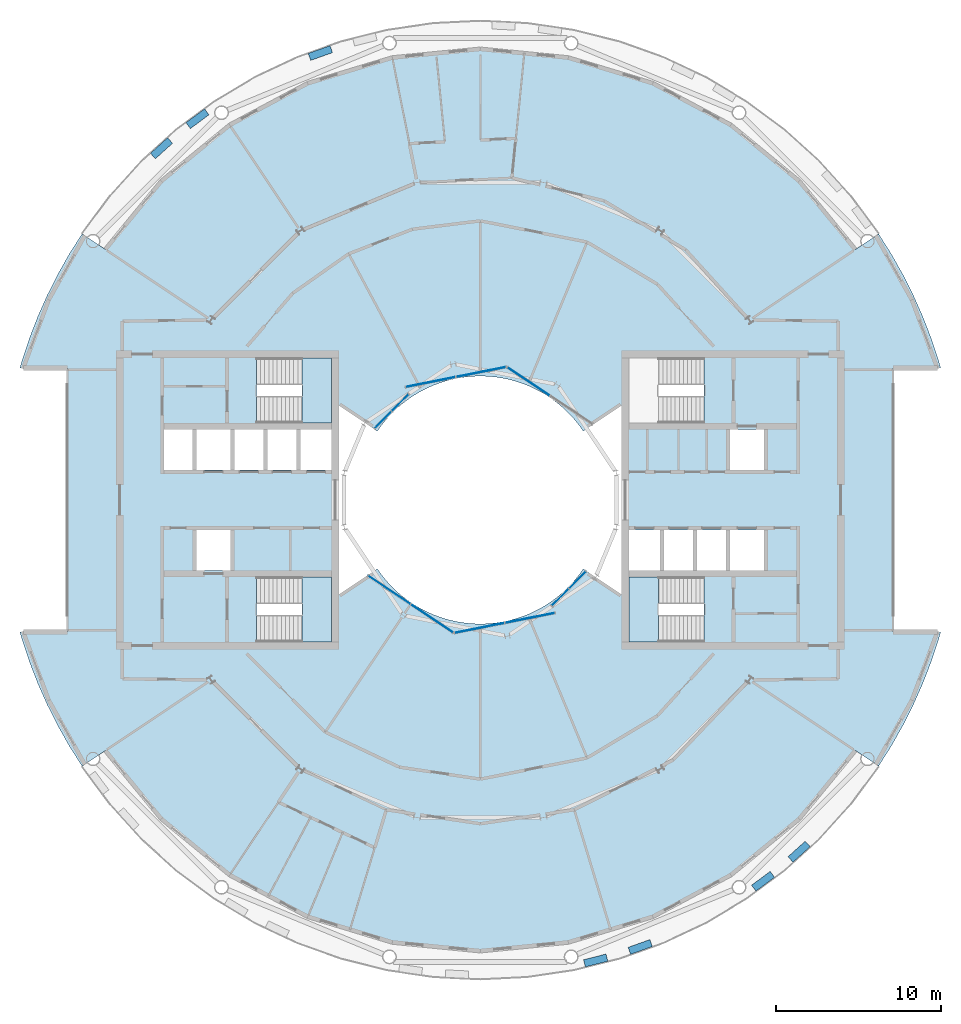
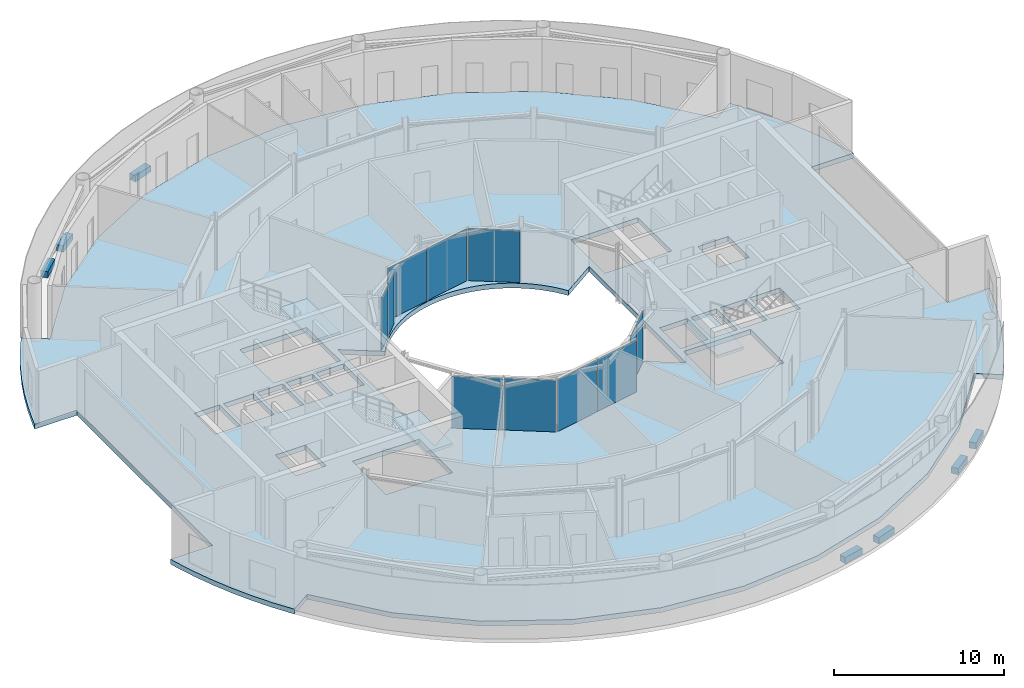
# One storey, part 12 of 22: 11 plates, 11 slabs, 9 elements without a shape of their own.
"""IFC4 building model written with IfcOpenShell, lengths in metres."""

from ifc_helpers import new_model, si_unit, direction, frame, origin, origin_2d, place, context, subcontext, project, spatial, polyline, rectangle, outline, extrude, material, layer, layer_set, type_object, element, aggregate, save


model = new_model("IFC4")

# Units and contexts
model_context = context("Model", 3, precision=1e-05, world=origin(), true_north=direction((0.0, 1.0)))
body_context = subcontext(model_context, "Body", "Model", "MODEL_VIEW")
ifc_project = project(units=[si_unit("LENGTHUNIT", "METRE"), si_unit("AREAUNIT", "SQUARE_METRE"), si_unit("VOLUMEUNIT", "CUBIC_METRE"), si_unit("PLANEANGLEUNIT", "RADIAN"), si_unit("MASSUNIT", "GRAM", prefix="KILO")], contexts=[model_context])

# Site, building, storey
site_placement = place(None, origin())
site = spatial("IfcSite", under=ifc_project, at=site_placement, CompositionType="ELEMENT")
building_placement = place(site_placement, origin())
building = spatial("IfcBuilding", under=site, at=building_placement, Name="Maasbend Ring Residences", CompositionType="ELEMENT")
storey_placement = place(building_placement, frame((0.0, 0.0, 208.5)))
storey = spatial("IfcBuildingStorey", under=building, at=storey_placement, Name="L60", CompositionType="ELEMENT", Elevation=208.5)

# Stair, slab
ifc_material_1 = material(Name="Concrete C40/50", Category="concrete")
stair_type = type_object("IfcStairType", Name="CORE STAIR 24 RISERS", PredefinedType="HALF_TURN_STAIR", material=ifc_material_1)
stair_1_placement = place(storey_placement, origin())
stair_1 = element("IfcStair", 1, at=stair_1_placement, inside=storey, type_object=stair_type, Name="L60 Exit stair ST-E2", PredefinedType="HALF_TURN_STAIR")
ifc_material_2 = material(Name="Concrete C40/50", Category="concrete")
ifc_layer_1 = layer(ifc_material_2, 0.199951171875)
ifc_layer_set_1 = layer_set([ifc_layer_1], Name="Concrete C40/50")
slab_type_1 = type_object("IfcSlabType", Name="CORE STAIR LANDING 200", PredefinedType="LANDING", material=ifc_layer_set_1)
slab_1_placement = place(storey_placement, frame((0.0, 0.0, 1.89990234375)))
slab_1 = element("IfcSlab", 2, at=slab_1_placement, type_object=slab_type_1, Name="ST-E2 landing 1", PredefinedType="LANDING", context=body_context, shape_type="SweptSolid", body=[
    extrude(outline(polyline([(10.800048828125, -4.64990234375), (9.0, -4.64990234375), (9.0, -8.60009765625), (10.800048828125, -8.60009765625), (10.800048828125, -4.64990234375)])), origin(), (0.0, 0.0, 1.0), 0.2001953125),
])
aggregate(stair_1, [slab_1])

stair_2_placement = place(storey_placement, origin())
stair_2 = element("IfcStair", 3, at=stair_2_placement, inside=storey, type_object=stair_type, Name="L60 Exit stair ST-W1", PredefinedType="HALF_TURN_STAIR")
slab_2_placement = place(storey_placement, frame((0.0, 0.0, 1.89990234375)))
slab_2 = element("IfcSlab", 4, at=slab_2_placement, type_object=slab_type_1, Name="ST-W1 landing 1", PredefinedType="LANDING", context=body_context, shape_type="SweptSolid", body=[
    extrude(outline(polyline([(-10.800048828125, -8.60009765625), (-9.0, -8.60009765625), (-9.0, -4.64990234375), (-10.800048828125, -4.64990234375), (-10.800048828125, -8.60009765625)])), origin(), (0.0, 0.0, 1.0), 0.2001953125),
])
aggregate(stair_2, [slab_2])

stair_3_placement = place(storey_placement, origin())
stair_3 = element("IfcStair", 5, at=stair_3_placement, inside=storey, type_object=stair_type, Name="L60 Exit stair ST-W2", PredefinedType="HALF_TURN_STAIR")
slab_3_placement = place(storey_placement, frame((0.0, 0.0, 1.89990234375)))
slab_3 = element("IfcSlab", 6, at=slab_3_placement, type_object=slab_type_1, Name="ST-W2 landing 1", PredefinedType="LANDING", context=body_context, shape_type="SweptSolid", body=[
    extrude(outline(polyline([(-10.800048828125, 4.64990234375), (-9.0, 4.64990234375), (-9.0, 8.60009765625), (-10.800048828125, 8.60009765625), (-10.800048828125, 4.64990234375)])), origin(), (0.0, 0.0, 1.0), 0.2001953125),
])
aggregate(stair_3, [slab_3])

# Curtain wall, plate
ifc_material_3 = material(Name="Aluminium and clear glass", Category="aluminium")
ifc_layer_2 = layer(ifc_material_3, 0.179931640625)
ifc_layer_set_2 = layer_set([ifc_layer_2], Name="CW-W")
curtain_wall_type = type_object("IfcCurtainWallType", Name="CW-W", PredefinedType="NOTDEFINED", material=ifc_layer_set_2)
curtain_wall_1_placement = place(storey_placement, origin())
curtain_wall_1 = element("IfcCurtainWall", 7, at=curtain_wall_1_placement, inside=storey, type_object=curtain_wall_type, Name="Well curtain wall N1", PredefinedType="NOTDEFINED")
ifc_material_4 = material(Name="Glass clear laminated", Category="glass")
ifc_layer_3 = layer(ifc_material_4, 0.031982421875)
ifc_layer_set_3 = layer_set([ifc_layer_3], Name="CWP-W")
plate_type = type_object("IfcPlateType", Name="CWP-W", PredefinedType="CURTAIN_PANEL", material=ifc_layer_set_3)
plate_1_placement = place(storey_placement, frame((2.922119140625, 7.17578125, 0.0), z_axis=(0.0, 0.0, 1.0), x_axis=(-0.831469612303, 0.55557023302, 0.0)))
plate_1 = element("IfcPlate", 8, at=plate_1_placement, type_object=plate_type, Name="Glass panel well face", PredefinedType="CURTAIN_PANEL", context=body_context, shape_type="SweptSolid", body=[
    extrude(rectangle(XDim=3.053955078125, YDim=0.031982421875, at=origin_2d()), origin(), (0.0, 0.0, 1.0), 3.72998046875),
])
aggregate(curtain_wall_1, [plate_1])

# Curtain wall, plates
curtain_wall_2_placement = place(storey_placement, origin())
curtain_wall_2 = element("IfcCurtainWall", 9, at=curtain_wall_2_placement, inside=storey, type_object=curtain_wall_type, Name="Well curtain wall N2", PredefinedType="NOTDEFINED")
plate_2_placement = place(storey_placement, frame((0.04638671875, 7.747802734375, 0.0), z_axis=(0.0, 0.0, 1.0), x_axis=(-0.980785280403, -0.195090322016, 0.0)))
plate_2 = element("IfcPlate", 10, at=plate_2_placement, type_object=plate_type, Name="Glass panel well face", PredefinedType="CURTAIN_PANEL", context=body_context, shape_type="SweptSolid", body=[
    extrude(rectangle(XDim=3.053955078125, YDim=0.031982421875, at=origin_2d()), origin(), (0.0, 0.0, 1.0), 3.72998046875),
])
plate_3_placement = place(storey_placement, frame((-3.0078125, 7.140380859375, 0.0), z_axis=(0.0, 0.0, 1.0), x_axis=(-0.980785280403, -0.195090322016, 0.0)))
plate_3 = element("IfcPlate", 11, at=plate_3_placement, type_object=plate_type, Name="Glass panel well face", PredefinedType="CURTAIN_PANEL", context=body_context, shape_type="SweptSolid", body=[
    extrude(rectangle(XDim=3.053955078125, YDim=0.031982421875, at=origin_2d()), origin(), (0.0, 0.0, 1.0), 3.72998046875),
])
aggregate(curtain_wall_2, [plate_2, plate_3])

curtain_wall_3_placement = place(storey_placement, origin())
curtain_wall_3 = element("IfcCurtainWall", 12, at=curtain_wall_3_placement, inside=storey, type_object=curtain_wall_type, Name="Well curtain wall N3", PredefinedType="NOTDEFINED")
plate_4_placement = place(storey_placement, frame((-4.84375, 5.89013671875, 0.0), z_axis=(0.0, 0.0, 1.0), x_axis=(-0.707106781187, -0.707106781187, 0.0)))
plate_4 = element("IfcPlate", 13, at=plate_4_placement, type_object=plate_type, Name="Glass panel well face", PredefinedType="CURTAIN_PANEL", context=body_context, shape_type="SweptSolid", body=[
    extrude(rectangle(XDim=1.419677734375, YDim=0.031982421875, at=origin_2d()), origin(), (0.0, 0.0, 1.0), 3.72998046875),
])
plate_5_placement = place(storey_placement, frame((-5.89013671875, 4.84375, 0.0), z_axis=(0.0, 0.0, 1.0), x_axis=(-0.707106781187, -0.707106781187, 0.0)))
plate_5 = element("IfcPlate", 14, at=plate_5_placement, type_object=plate_type, Name="Glass panel well face", PredefinedType="CURTAIN_PANEL", context=body_context, shape_type="SweptSolid", body=[
    extrude(rectangle(XDim=1.419677734375, YDim=0.031982421875, at=origin_2d()), origin(), (0.0, 0.0, 1.0), 3.72998046875),
])
aggregate(curtain_wall_3, [plate_4, plate_5])

curtain_wall_4_placement = place(storey_placement, origin())
curtain_wall_4 = element("IfcCurtainWall", 15, at=curtain_wall_4_placement, inside=storey, type_object=curtain_wall_type, Name="Well curtain wall S1", PredefinedType="NOTDEFINED")
plate_6_placement = place(storey_placement, frame((-5.51123046875, -5.44580078125, 0.0), z_axis=(0.0, 0.0, 1.0), x_axis=(0.831469612303, -0.55557023302, 0.0)))
plate_6 = element("IfcPlate", 16, at=plate_6_placement, type_object=plate_type, Name="Glass panel well face", PredefinedType="CURTAIN_PANEL", context=body_context, shape_type="SweptSolid", body=[
    extrude(rectangle(XDim=3.053955078125, YDim=0.031982421875, at=origin_2d()), origin(), (0.0, 0.0, 1.0), 3.72998046875),
])
plate_7_placement = place(storey_placement, frame((-2.922119140625, -7.17578125, 0.0), z_axis=(0.0, 0.0, 1.0), x_axis=(0.831469612303, -0.55557023302, 0.0)))
plate_7 = element("IfcPlate", 17, at=plate_7_placement, type_object=plate_type, Name="Glass panel well face", PredefinedType="CURTAIN_PANEL", context=body_context, shape_type="SweptSolid", body=[
    extrude(rectangle(XDim=3.053955078125, YDim=0.031982421875, at=origin_2d()), origin(), (0.0, 0.0, 1.0), 3.72998046875),
])
aggregate(curtain_wall_4, [plate_6, plate_7])

curtain_wall_5_placement = place(storey_placement, origin())
curtain_wall_5 = element("IfcCurtainWall", 18, at=curtain_wall_5_placement, inside=storey, type_object=curtain_wall_type, Name="Well curtain wall S2", PredefinedType="NOTDEFINED")
plate_8_placement = place(storey_placement, frame((-0.04638671875, -7.747802734375, 0.0), z_axis=(0.0, 0.0, 1.0), x_axis=(0.980785280403, 0.195090322016, 0.0)))
plate_8 = element("IfcPlate", 19, at=plate_8_placement, type_object=plate_type, Name="Glass panel well face", PredefinedType="CURTAIN_PANEL", context=body_context, shape_type="SweptSolid", body=[
    extrude(rectangle(XDim=3.053955078125, YDim=0.031982421875, at=origin_2d()), origin(), (0.0, 0.0, 1.0), 3.72998046875),
])
plate_9_placement = place(storey_placement, frame((3.0078125, -7.140380859375, 0.0), z_axis=(0.0, 0.0, 1.0), x_axis=(0.980785280403, 0.195090322016, 0.0)))
plate_9 = element("IfcPlate", 20, at=plate_9_placement, type_object=plate_type, Name="Glass panel well face", PredefinedType="CURTAIN_PANEL", context=body_context, shape_type="SweptSolid", body=[
    extrude(rectangle(XDim=3.053955078125, YDim=0.031982421875, at=origin_2d()), origin(), (0.0, 0.0, 1.0), 3.72998046875),
])
aggregate(curtain_wall_5, [plate_8, plate_9])

curtain_wall_6_placement = place(storey_placement, origin())
curtain_wall_6 = element("IfcCurtainWall", 21, at=curtain_wall_6_placement, inside=storey, type_object=curtain_wall_type, Name="Well curtain wall S3", PredefinedType="NOTDEFINED")
plate_10_placement = place(storey_placement, frame((4.84375, -5.89013671875, 0.0), z_axis=(0.0, 0.0, 1.0), x_axis=(0.707106781187, 0.707106781187, 0.0)))
plate_10 = element("IfcPlate", 22, at=plate_10_placement, type_object=plate_type, Name="Glass panel well face", PredefinedType="CURTAIN_PANEL", context=body_context, shape_type="SweptSolid", body=[
    extrude(rectangle(XDim=1.419677734375, YDim=0.031982421875, at=origin_2d()), origin(), (0.0, 0.0, 1.0), 3.72998046875),
])
plate_11_placement = place(storey_placement, frame((5.89013671875, -4.84375, 0.0), z_axis=(0.0, 0.0, 1.0), x_axis=(0.707106781187, 0.707106781187, 0.0)))
plate_11 = element("IfcPlate", 23, at=plate_11_placement, type_object=plate_type, Name="Glass panel well face", PredefinedType="CURTAIN_PANEL", context=body_context, shape_type="SweptSolid", body=[
    extrude(rectangle(XDim=1.419677734375, YDim=0.031982421875, at=origin_2d()), origin(), (0.0, 0.0, 1.0), 3.72998046875),
])
aggregate(curtain_wall_6, [plate_10, plate_11])

# Slabs
ifc_material_5 = material(Name="Planting with climbing greenery")
ifc_layer_4 = layer(ifc_material_5, 0.449951171875)
ifc_layer_set_4 = layer_set([ifc_layer_4], Name="PLANTER-LG")
slab_type_2 = type_object("IfcSlabType", Name="PLANTER-LG", PredefinedType="USERDEFINED", material=ifc_layer_set_4)
slab_4_placement = place(storey_placement, frame((0.0, 0.0, -0.030029296875)))
element("IfcSlab", 24, at=slab_4_placement, inside=storey, type_object=slab_type_2, Name="Planter with climbing greenery 8", ObjectType="PLANTER", PredefinedType="USERDEFINED", context=body_context, shape_type="SweptSolid", body=[
    extrude(outline(polyline([(-9.09912109375, 27.508056640625), (-10.4169921875, 27.035888671875), (-10.26611328125, 26.612060546875), (-8.947021484375, 27.083984375), (-9.09912109375, 27.508056640625)])), origin(), (0.0, 0.0, 1.0), 0.449951171875),
])
slab_5_placement = place(storey_placement, frame((0.0, 0.0, -0.030029296875)))
element("IfcSlab", 25, at=slab_5_placement, inside=storey, type_object=slab_type_2, Name="Planter with climbing greenery 9", ObjectType="PLANTER", PredefinedType="USERDEFINED", context=body_context, shape_type="SweptSolid", body=[
    extrude(outline(polyline([(-16.69189453125, 23.681884765625), (-17.81689453125, 22.847900390625), (-17.549072265625, 22.487060546875), (-16.424072265625, 23.321044921875), (-16.69189453125, 23.681884765625)])), origin(), (0.0, 0.0, 1.0), 0.449951171875),
])
slab_6_placement = place(storey_placement, frame((0.0, 0.0, -0.030029296875)))
element("IfcSlab", 26, at=slab_6_placement, inside=storey, type_object=slab_type_2, Name="Planter with climbing greenery 10", ObjectType="PLANTER", PredefinedType="USERDEFINED", context=body_context, shape_type="SweptSolid", body=[
    extrude(outline(polyline([(-18.93310546875, 21.931884765625), (-19.969970703125, 20.991943359375), (-19.66796875, 20.657958984375), (-18.631103515625, 21.597900390625), (-18.93310546875, 21.931884765625)])), origin(), (0.0, 0.0, 1.0), 0.449951171875),
])
slab_7_placement = place(storey_placement, frame((0.0, 0.0, -0.030029296875)))
element("IfcSlab", 27, at=slab_7_placement, inside=storey, type_object=slab_type_2, Name="Planter with climbing greenery 7", ObjectType="PLANTER", PredefinedType="USERDEFINED", context=body_context, shape_type="SweptSolid", body=[
    extrude(outline(polyline([(6.35888671875, -28.26708984375), (7.717041015625, -27.927001953125), (7.60791015625, -27.489990234375), (6.25, -27.8310546875), (6.35888671875, -28.26708984375)])), origin(), (0.0, 0.0, 1.0), 0.449951171875),
])
slab_8_placement = place(storey_placement, frame((0.0, 0.0, -0.030029296875)))
element("IfcSlab", 28, at=slab_8_placement, inside=storey, type_object=slab_type_2, Name="Planter with climbing greenery 8", ObjectType="PLANTER", PredefinedType="USERDEFINED", context=body_context, shape_type="SweptSolid", body=[
    extrude(outline(polyline([(9.09912109375, -27.508056640625), (10.4169921875, -27.035888671875), (10.26611328125, -26.612060546875), (8.947021484375, -27.083984375), (9.09912109375, -27.508056640625)])), origin(), (0.0, 0.0, 1.0), 0.449951171875),
])
slab_9_placement = place(storey_placement, frame((0.0, 0.0, -0.030029296875)))
element("IfcSlab", 29, at=slab_9_placement, inside=storey, type_object=slab_type_2, Name="Planter with climbing greenery 9", ObjectType="PLANTER", PredefinedType="USERDEFINED", context=body_context, shape_type="SweptSolid", body=[
    extrude(outline(polyline([(16.69189453125, -23.681884765625), (17.81689453125, -22.847900390625), (17.549072265625, -22.487060546875), (16.424072265625, -23.321044921875), (16.69189453125, -23.681884765625)])), origin(), (0.0, 0.0, 1.0), 0.449951171875),
])
slab_10_placement = place(storey_placement, frame((0.0, 0.0, -0.030029296875)))
element("IfcSlab", 30, at=slab_10_placement, inside=storey, type_object=slab_type_2, Name="Planter with climbing greenery 10", ObjectType="PLANTER", PredefinedType="USERDEFINED", context=body_context, shape_type="SweptSolid", body=[
    extrude(outline(polyline([(18.93310546875, -21.931884765625), (19.969970703125, -20.991943359375), (19.66796875, -20.657958984375), (18.631103515625, -21.597900390625), (18.93310546875, -21.931884765625)])), origin(), (0.0, 0.0, 1.0), 0.449951171875),
])
ifc_material_6 = material(Name="Concrete C40/50", Category="concrete")
ifc_layer_5 = layer(ifc_material_6, 0.35009765625)
ifc_layer_set_5 = layer_set([ifc_layer_5], Name="Concrete C40/50")
slab_type_3 = type_object("IfcSlabType", Name="Post-tensioned flat plate 350", PredefinedType="FLOOR", material=ifc_layer_set_5)
slab_11_placement = place(storey_placement, frame((0.0, 0.0, -0.35009765625)))
element("IfcSlab", 31, at=slab_11_placement, inside=storey, type_object=slab_type_3, Name="Floor slab L60", PredefinedType="FLOOR", context=body_context, shape_type="SweptSolid", body=[
    extrude(outline(polyline([(24.8740234375, -14.908935546875), (25.57568359375, -13.67041015625), (26.2158203125, -12.399169921875), (26.79248046875, -11.097900390625), (27.3046875, -9.769775390625), (27.751220703125, -8.418212890625), (27.866943359375, -8.0), (25.0, -8.0), (25.0, 8.0), (27.866943359375, 8.0), (27.751220703125, 8.418212890625), (27.3046875, 9.769775390625), (26.79248046875, 11.097900390625), (26.2158203125, 12.399169921875), (25.57568359375, 13.67041015625), (24.8740234375, 14.908935546875), (24.112548828125, 16.111572265625), (22.69921875, 15.1669921875), (19.303955078125, 19.303955078125), (15.1669921875, 22.69921875), (10.447265625, 25.221923828125), (5.325927734375, 26.775390625), (0.0, 27.300048828125), (-5.325927734375, 26.775390625), (-10.447265625, 25.221923828125), (-15.1669921875, 22.69921875), (-19.303955078125, 19.303955078125), (-22.69921875, 15.1669921875), (-24.112548828125, 16.111572265625), (-24.8740234375, 14.908935546875), (-25.57568359375, 13.67041015625), (-26.2158203125, 12.399169921875), (-26.79248046875, 11.097900390625), (-27.3046875, 9.769775390625), (-27.751220703125, 8.418212890625), (-27.866943359375, 8.0), (-25.0, 8.0), (-25.0, -8.0), (-27.866943359375, -8.0), (-27.751220703125, -8.418212890625), (-27.3046875, -9.769775390625), (-26.79248046875, -11.097900390625), (-26.2158203125, -12.399169921875), (-25.57568359375, -13.67041015625), (-24.8740234375, -14.908935546875), (-24.112548828125, -16.111572265625), (-22.69921875, -15.1669921875), (-19.303955078125, -19.303955078125), (-15.1669921875, -22.69921875), (-10.447265625, -25.221923828125), (-5.325927734375, -26.775390625), (0.0, -27.300048828125), (5.325927734375, -26.775390625), (10.447265625, -25.221923828125), (15.1669921875, -22.69921875), (19.303955078125, -19.303955078125), (22.69921875, -15.1669921875), (24.112548828125, -16.111572265625), (24.8740234375, -14.908935546875)]), holes=[polyline([(15.125, 1.824951171875), (15.125, 4.27490234375), (17.175048828125, 4.27490234375), (17.175048828125, 1.824951171875), (15.125, 1.824951171875)]), polyline([(15.125, -4.27490234375), (15.125, -1.824951171875), (17.175048828125, -1.824951171875), (17.175048828125, -4.27490234375), (15.125, -4.27490234375)]), polyline([(13.125, -4.27490234375), (13.125, -1.824951171875), (14.875, -1.824951171875), (14.875, -4.27490234375), (13.125, -4.27490234375)]), polyline([(13.550048828125, 8.60009765625), (13.550048828125, 4.64990234375), (9.0, 4.64990234375), (9.0, 8.60009765625), (13.550048828125, 8.60009765625)]), polyline([(13.550048828125, -4.64990234375), (13.550048828125, -8.60009765625), (9.0, -8.60009765625), (9.0, -4.64990234375), (13.550048828125, -4.64990234375)]), polyline([(11.125, -4.27490234375), (11.125, -1.824951171875), (12.875, -1.824951171875), (12.875, -4.27490234375), (11.125, -4.27490234375)]), polyline([(9.0, -4.27490234375), (9.0, -1.824951171875), (10.875, -1.824951171875), (10.875, -4.27490234375), (9.0, -4.27490234375)]), polyline([(6.024169921875, 4.4677734375), (6.236083984375, 4.166748046875), (8.550048828125, 5.712890625), (8.550048828125, -5.712890625), (6.236083984375, -4.166748046875), (6.024169921875, -4.4677734375), (5.797607421875, -4.7578125), (5.55712890625, -5.03662109375), (5.30322265625, -5.30322265625), (5.03662109375, -5.55712890625), (4.7578125, -5.797607421875), (4.4677734375, -6.024169921875), (4.166748046875, -6.236083984375), (3.855712890625, -6.43310546875), (3.535400390625, -6.614501953125), (3.206787109375, -6.77978515625), (2.8701171875, -6.92919921875), (2.526611328125, -7.0615234375), (2.177001953125, -7.177001953125), (1.822509765625, -7.275146484375), (1.463134765625, -7.35595703125), (1.1005859375, -7.418701171875), (0.735107421875, -7.4638671875), (0.367919921875, -7.490966796875), (0.0, -7.5), (-0.367919921875, -7.490966796875), (-0.735107421875, -7.4638671875), (-1.1005859375, -7.418701171875), (-1.463134765625, -7.35595703125), (-1.822509765625, -7.275146484375), (-2.177001953125, -7.177001953125), (-2.526611328125, -7.0615234375), (-2.8701171875, -6.92919921875), (-3.206787109375, -6.77978515625), (-3.535400390625, -6.614501953125), (-3.855712890625, -6.43310546875), (-4.166748046875, -6.236083984375), (-4.4677734375, -6.024169921875), (-4.7578125, -5.797607421875), (-5.03662109375, -5.55712890625), (-5.30322265625, -5.30322265625), (-5.55712890625, -5.03662109375), (-5.797607421875, -4.7578125), (-6.024169921875, -4.4677734375), (-6.236083984375, -4.166748046875), (-8.550048828125, -5.712890625), (-8.550048828125, 5.712890625), (-6.236083984375, 4.166748046875), (-6.024169921875, 4.4677734375), (-5.797607421875, 4.7578125), (-5.55712890625, 5.03662109375), (-5.30322265625, 5.30322265625), (-5.03662109375, 5.55712890625), (-4.7578125, 5.797607421875), (-4.4677734375, 6.024169921875), (-4.166748046875, 6.236083984375), (-3.855712890625, 6.43310546875), (-3.535400390625, 6.614501953125), (-3.206787109375, 6.77978515625), (-2.8701171875, 6.92919921875), (-2.526611328125, 7.0615234375), (-2.177001953125, 7.177001953125), (-1.822509765625, 7.275146484375), (-1.463134765625, 7.35595703125), (-1.1005859375, 7.418701171875), (-0.735107421875, 7.4638671875), (-0.367919921875, 7.490966796875), (0.0, 7.5), (0.367919921875, 7.490966796875), (0.735107421875, 7.4638671875), (1.1005859375, 7.418701171875), (1.463134765625, 7.35595703125), (1.822509765625, 7.275146484375), (2.177001953125, 7.177001953125), (2.526611328125, 7.0615234375), (2.8701171875, 6.92919921875), (3.206787109375, 6.77978515625), (3.535400390625, 6.614501953125), (3.855712890625, 6.43310546875), (4.166748046875, 6.236083984375), (4.4677734375, 6.024169921875), (4.7578125, 5.797607421875), (5.03662109375, 5.55712890625), (5.30322265625, 5.30322265625), (5.55712890625, 5.03662109375), (5.797607421875, 4.7578125), (6.024169921875, 4.4677734375)]), polyline([(-13.550048828125, 4.64990234375), (-13.550048828125, 8.60009765625), (-9.0, 8.60009765625), (-9.0, 4.64990234375), (-13.550048828125, 4.64990234375)]), polyline([(-9.0, -8.60009765625), (-13.550048828125, -8.60009765625), (-13.550048828125, -4.64990234375), (-9.0, -4.64990234375), (-9.0, -8.60009765625)]), polyline([(-9.0, 4.27490234375), (-9.0, 1.824951171875), (-10.875, 1.824951171875), (-10.875, 4.27490234375), (-9.0, 4.27490234375)]), polyline([(-11.125, 4.27490234375), (-11.125, 1.824951171875), (-12.875, 1.824951171875), (-12.875, 4.27490234375), (-11.125, 4.27490234375)]), polyline([(-13.125, 4.27490234375), (-13.125, 1.824951171875), (-14.875, 1.824951171875), (-14.875, 4.27490234375), (-13.125, 4.27490234375)]), polyline([(-15.125, 4.27490234375), (-15.125, 1.824951171875), (-17.175048828125, 1.824951171875), (-17.175048828125, 4.27490234375), (-15.125, 4.27490234375)]), polyline([(-15.125, -1.824951171875), (-15.125, -4.27490234375), (-17.175048828125, -4.27490234375), (-17.175048828125, -1.824951171875), (-15.125, -1.824951171875)]), polyline([(-17.425048828125, 4.27490234375), (-17.425048828125, 1.824951171875), (-19.14990234375, 1.824951171875), (-19.14990234375, 4.27490234375), (-17.425048828125, 4.27490234375)])]), origin(), (0.0, 0.0, 1.0), 0.35009765625),
])

save(model, "model.ifc")
